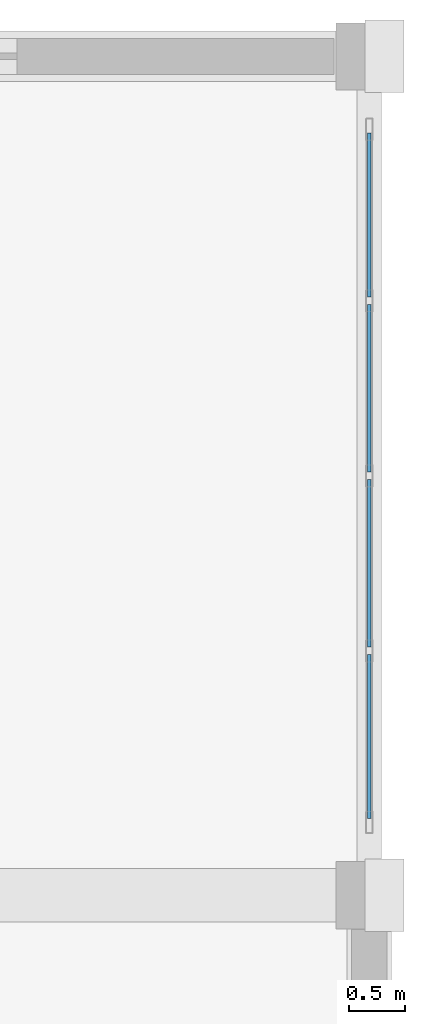
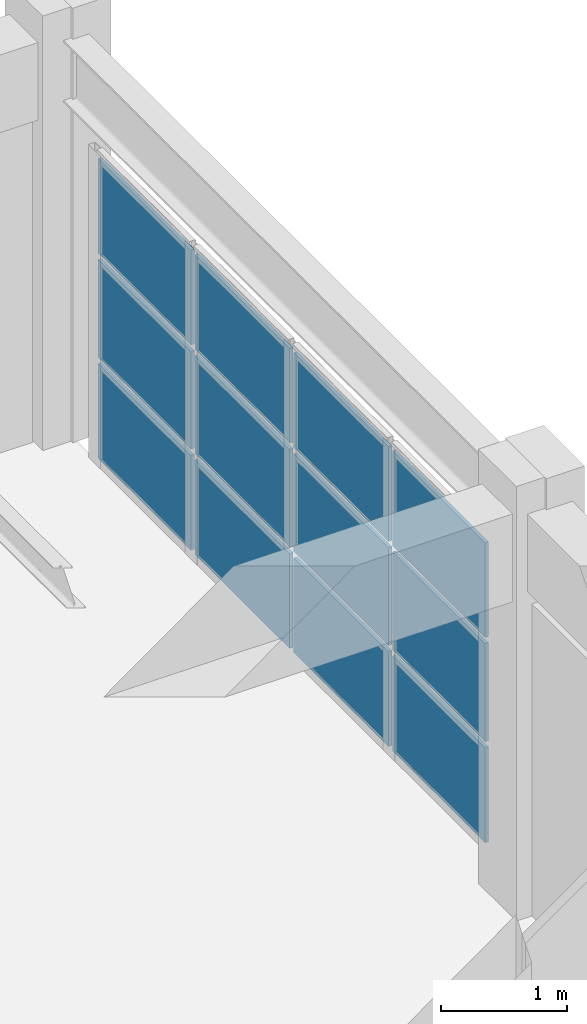
# One storey, part 86 of 124: 12 plates, 1 element without a shape of its own.
"""IFC4 building model written with IfcOpenShell, lengths in metres."""

from ifc_helpers import new_model, si_unit, direction, frame, origin, origin_2d, place, context, subcontext, project, spatial, rectangle, extrude, material, layer, layer_set, type_object, element, aggregate, save


model = new_model("IFC4")

# Units and contexts
model_context = context("Model", 3, precision=1e-05, world=origin(), true_north=direction((0.0, 1.0)))
body_context = subcontext(model_context, "Body", "Model", "MODEL_VIEW")
ifc_project = project(units=[si_unit("LENGTHUNIT", "METRE"), si_unit("AREAUNIT", "SQUARE_METRE"), si_unit("VOLUMEUNIT", "CUBIC_METRE"), si_unit("PLANEANGLEUNIT", "RADIAN"), si_unit("MASSUNIT", "GRAM", prefix="KILO")], contexts=[model_context])

# Site, building, storey
site_placement = place(None, origin())
site = spatial("IfcSite", under=ifc_project, at=site_placement, CompositionType="ELEMENT")
building_placement = place(site_placement, origin())
building = spatial("IfcBuilding", under=site, at=building_placement, Name="Qasida Concert Hall", CompositionType="ELEMENT")
storey_placement = place(building_placement, frame((0.0, 0.0, 9.0)))
storey = spatial("IfcBuildingStorey", under=building, at=storey_placement, Name="L02", CompositionType="ELEMENT", Elevation=9.0)

# Curtain wall, plates
ifc_material_1 = material(Name="Architectural bronze-anodized aluminium and low-E glass", Category="aluminium")
curtain_wall_type = type_object("IfcCurtainWallType", Name="CW-11", PredefinedType="NOTDEFINED", material=ifc_material_1)
curtain_wall_placement = place(storey_placement, origin())
curtain_wall = element("IfcCurtainWall", 1, at=curtain_wall_placement, inside=storey, type_object=curtain_wall_type, Name="L02 curtain wall CW-11 0177", PredefinedType="NOTDEFINED")
ifc_material_2 = material(Name="Solar-control low-E double glazing", Category="glass")
ifc_layer = layer(ifc_material_2, 0.031982421875, Name="Solar-control low-E double glazing")
ifc_layer_set = layer_set([ifc_layer], Name="Solar-control low-E double glazing")
plate_type = type_object("IfcPlateType", Name="PLT-CWP-2", PredefinedType="CURTAIN_PANEL", material=ifc_layer_set)
plate_1_placement = place(storey_placement, frame((165.0, 106.418701171875, 0.06005859375), z_axis=(0.0, 0.0, 1.0), x_axis=(0.0, 1.0, 0.0)))
plate_1 = element("IfcPlate", 2, at=plate_1_placement, type_object=plate_type, Name="CW-11 panel 1.1", PredefinedType="CURTAIN_PANEL", context=body_context, shape_type="SweptSolid", body=[
    extrude(rectangle(XDim=1.467529296875, YDim=0.031982421875, at=origin_2d()), origin(), (0.0, 0.0, 1.0), 0.916748046875),
])
plate_2_placement = place(storey_placement, frame((165.0, 106.418701171875, 1.03662109375), z_axis=(0.0, 0.0, 1.0), x_axis=(0.0, 1.0, 0.0)))
plate_2 = element("IfcPlate", 3, at=plate_2_placement, type_object=plate_type, Name="CW-11 panel 1.2", PredefinedType="CURTAIN_PANEL", context=body_context, shape_type="SweptSolid", body=[
    extrude(rectangle(XDim=1.467529296875, YDim=0.031982421875, at=origin_2d()), origin(), (0.0, 0.0, 1.0), 0.946533203125),
])
plate_3_placement = place(storey_placement, frame((165.0, 106.418701171875, 2.04345703125), z_axis=(0.0, 0.0, 1.0), x_axis=(0.0, 1.0, 0.0)))
plate_3 = element("IfcPlate", 4, at=plate_3_placement, type_object=plate_type, Name="CW-11 panel 1.3", PredefinedType="CURTAIN_PANEL", context=body_context, shape_type="SweptSolid", body=[
    extrude(rectangle(XDim=1.467529296875, YDim=0.031982421875, at=origin_2d()), origin(), (0.0, 0.0, 1.0), 0.916748046875),
])
plate_4_placement = place(storey_placement, frame((165.0, 107.967529296875, 0.06005859375), z_axis=(0.0, 0.0, 1.0), x_axis=(0.0, 1.0, 0.0)))
plate_4 = element("IfcPlate", 5, at=plate_4_placement, type_object=plate_type, Name="CW-11 panel 2.1", PredefinedType="CURTAIN_PANEL", context=body_context, shape_type="SweptSolid", body=[
    extrude(rectangle(XDim=1.5, YDim=0.031982421875, at=origin_2d()), origin(), (0.0, 0.0, 1.0), 0.916748046875),
])
plate_5_placement = place(storey_placement, frame((165.0, 107.967529296875, 1.03662109375), z_axis=(0.0, 0.0, 1.0), x_axis=(0.0, 1.0, 0.0)))
plate_5 = element("IfcPlate", 6, at=plate_5_placement, type_object=plate_type, Name="CW-11 panel 2.2", PredefinedType="CURTAIN_PANEL", context=body_context, shape_type="SweptSolid", body=[
    extrude(rectangle(XDim=1.5, YDim=0.031982421875, at=origin_2d()), origin(), (0.0, 0.0, 1.0), 0.946533203125),
])
plate_6_placement = place(storey_placement, frame((165.0, 107.967529296875, 2.04345703125), z_axis=(0.0, 0.0, 1.0), x_axis=(0.0, 1.0, 0.0)))
plate_6 = element("IfcPlate", 7, at=plate_6_placement, type_object=plate_type, Name="CW-11 panel 2.3", PredefinedType="CURTAIN_PANEL", context=body_context, shape_type="SweptSolid", body=[
    extrude(rectangle(XDim=1.5, YDim=0.031982421875, at=origin_2d()), origin(), (0.0, 0.0, 1.0), 0.916748046875),
])
plate_7_placement = place(storey_placement, frame((165.0, 109.532470703125, 0.06005859375), z_axis=(0.0, 0.0, 1.0), x_axis=(0.0, 1.0, 0.0)))
plate_7 = element("IfcPlate", 8, at=plate_7_placement, type_object=plate_type, Name="CW-11 panel 3.1", PredefinedType="CURTAIN_PANEL", context=body_context, shape_type="SweptSolid", body=[
    extrude(rectangle(XDim=1.5, YDim=0.031982421875, at=origin_2d()), origin(), (0.0, 0.0, 1.0), 0.916748046875),
])
plate_8_placement = place(storey_placement, frame((165.0, 109.532470703125, 1.03662109375), z_axis=(0.0, 0.0, 1.0), x_axis=(0.0, 1.0, 0.0)))
plate_8 = element("IfcPlate", 9, at=plate_8_placement, type_object=plate_type, Name="CW-11 panel 3.2", PredefinedType="CURTAIN_PANEL", context=body_context, shape_type="SweptSolid", body=[
    extrude(rectangle(XDim=1.5, YDim=0.031982421875, at=origin_2d()), origin(), (0.0, 0.0, 1.0), 0.946533203125),
])
plate_9_placement = place(storey_placement, frame((165.0, 109.532470703125, 2.04345703125), z_axis=(0.0, 0.0, 1.0), x_axis=(0.0, 1.0, 0.0)))
plate_9 = element("IfcPlate", 10, at=plate_9_placement, type_object=plate_type, Name="CW-11 panel 3.3", PredefinedType="CURTAIN_PANEL", context=body_context, shape_type="SweptSolid", body=[
    extrude(rectangle(XDim=1.5, YDim=0.031982421875, at=origin_2d()), origin(), (0.0, 0.0, 1.0), 0.916748046875),
])
plate_10_placement = place(storey_placement, frame((165.0, 111.081298828125, 0.06005859375), z_axis=(0.0, 0.0, 1.0), x_axis=(0.0, 1.0, 0.0)))
plate_10 = element("IfcPlate", 11, at=plate_10_placement, type_object=plate_type, Name="CW-11 panel 4.1", PredefinedType="CURTAIN_PANEL", context=body_context, shape_type="SweptSolid", body=[
    extrude(rectangle(XDim=1.467529296875, YDim=0.031982421875, at=origin_2d()), origin(), (0.0, 0.0, 1.0), 0.916748046875),
])
plate_11_placement = place(storey_placement, frame((165.0, 111.081298828125, 1.03662109375), z_axis=(0.0, 0.0, 1.0), x_axis=(0.0, 1.0, 0.0)))
plate_11 = element("IfcPlate", 12, at=plate_11_placement, type_object=plate_type, Name="CW-11 panel 4.2", PredefinedType="CURTAIN_PANEL", context=body_context, shape_type="SweptSolid", body=[
    extrude(rectangle(XDim=1.467529296875, YDim=0.031982421875, at=origin_2d()), origin(), (0.0, 0.0, 1.0), 0.946533203125),
])
plate_12_placement = place(storey_placement, frame((165.0, 111.081298828125, 2.04345703125), z_axis=(0.0, 0.0, 1.0), x_axis=(0.0, 1.0, 0.0)))
plate_12 = element("IfcPlate", 13, at=plate_12_placement, type_object=plate_type, Name="CW-11 panel 4.3", PredefinedType="CURTAIN_PANEL", context=body_context, shape_type="SweptSolid", body=[
    extrude(rectangle(XDim=1.467529296875, YDim=0.031982421875, at=origin_2d()), origin(), (0.0, 0.0, 1.0), 0.916748046875),
])
aggregate(curtain_wall, [plate_1, plate_2, plate_3, plate_4, plate_5, plate_6, plate_7, plate_8, plate_9, plate_10, plate_11, plate_12])

save(model, "model.ifc")
